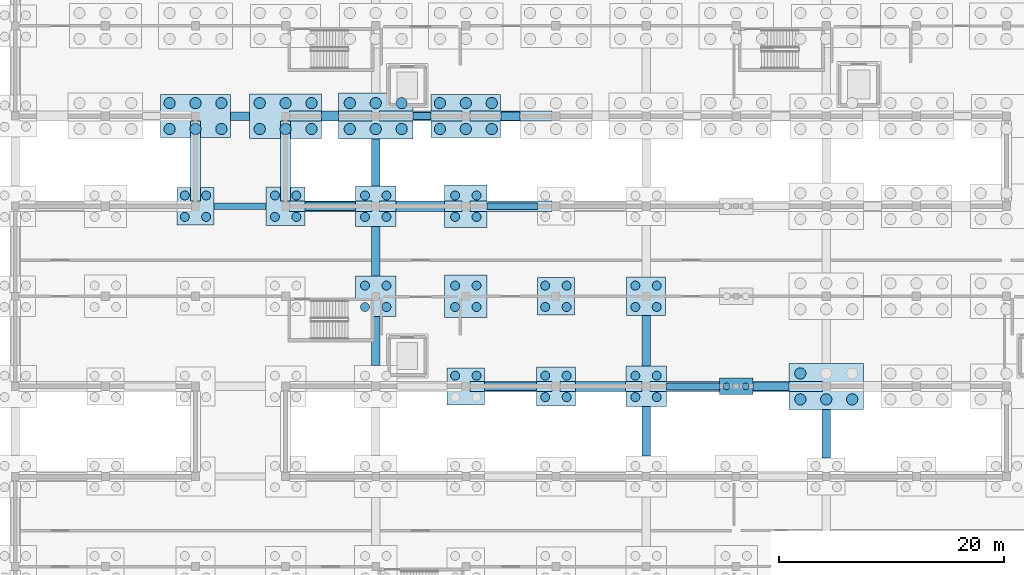
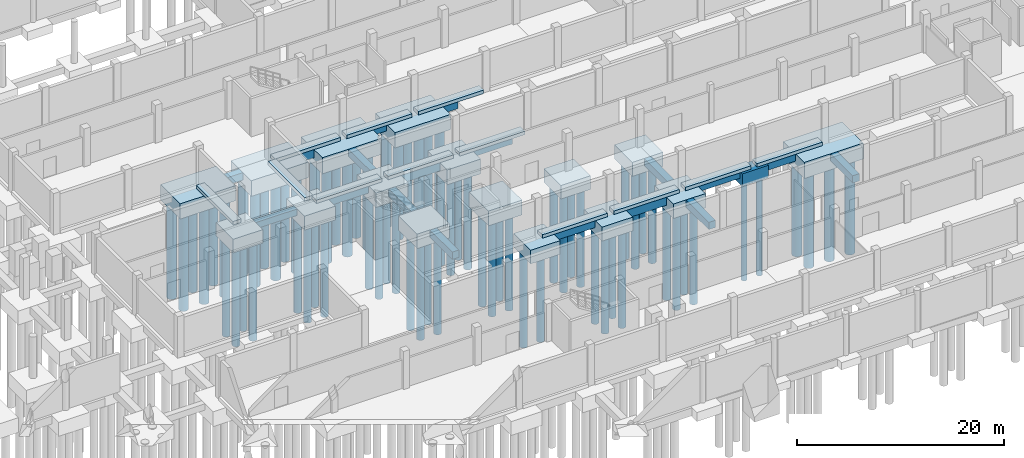
# One storey, part 6 of 51: 72 piles, 47 footings.
"""IFC4 building model written with IfcOpenShell, lengths in metres."""

from ifc_helpers import new_model, si_unit, direction, frame, origin, origin_2d, place, context, subcontext, project, spatial, rectangle, circle, extrude, material, material_profile, profile_set, type_object, element, save


model = new_model("IFC4")

# Units and contexts
model_context = context("Model", 3, precision=1e-05, world=origin(), true_north=direction((0.0, 1.0)))
body_context = subcontext(model_context, "Body", "Model", "MODEL_VIEW")
ifc_project = project(units=[si_unit("LENGTHUNIT", "METRE"), si_unit("AREAUNIT", "SQUARE_METRE"), si_unit("VOLUMEUNIT", "CUBIC_METRE"), si_unit("PLANEANGLEUNIT", "RADIAN"), si_unit("MASSUNIT", "GRAM", prefix="KILO")], contexts=[model_context])

# Site, building, storey
site_placement = place(None, origin())
site = spatial("IfcSite", under=ifc_project, at=site_placement, CompositionType="ELEMENT")
building_placement = place(site_placement, origin())
building = spatial("IfcBuilding", under=site, at=building_placement, Name="Jelvoka-Kovrelna Polytechnic", CompositionType="ELEMENT")
storey_placement = place(building_placement, frame((0.0, 0.0, -4.5)))
storey = spatial("IfcBuildingStorey", under=building, at=storey_placement, Name="B01", CompositionType="ELEMENT", Elevation=-4.5)

# Footings
ifc_material_1 = material(Name="Concrete C35/45", Category="concrete")
footing_type_1 = type_object("IfcFootingType", Name="Footing_PileCap_PC2B", PredefinedType="PILE_CAP", material=ifc_material_1)
footing_1_placement = place(storey_placement, frame((120.0, 32.0, -1.85498046875), z_axis=(0.0, 0.0, 1.0), x_axis=(1.0, 0.0, 0.0)))
element("IfcFooting", 1, at=footing_1_placement, inside=storey, type_object=footing_type_1, Name="Bored pile cap 091 (PC-2)", PredefinedType="PILE_CAP", context=body_context, shape_type="SweptSolid", body=[
    extrude(rectangle(XDim=2.949951171875, YDim=1.449951171875, at=origin_2d()), origin(), (0.0, 0.0, 1.0), 1.449951171875),
])
ifc_material_2 = material(Name="Concrete C35/45", Category="concrete")
footing_type_2 = type_object("IfcFootingType", Name="Footing_PileCap_PC4A", PredefinedType="PILE_CAP", material=ifc_material_2)
for number, where, z_axis, x_axis, name in (
    (2, (96.0, 32.0, -2.005126953125), (0.0, 0.0, 1.0), (1.0, 0.0, 0.0), "Bored pile cap 088 (PC-4)"),
    (3, (104.0, 40.0, -2.005126953125), (0.0, 0.0, 1.0), (1.0, 0.0, 0.0), "Bored pile cap 116 (PC-4)"),
    (4, (72.0, 48.0, -2.005126953125), (0.0, 0.0, 1.0), (1.0, 0.0, 0.0), "Bored pile cap 136 (PC-4)"),
):
    element("IfcFooting", number, at=place(storey_placement, frame(where, z_axis=z_axis, x_axis=x_axis)), inside=storey, type_object=footing_type_2, Name=name, PredefinedType="PILE_CAP", context=body_context, shape_type="SweptSolid", body=[
        extrude(rectangle(XDim=3.300048828125, YDim=3.300048828125, at=origin_2d()), origin(), (0.0, 0.0, 1.0), 1.60009765625),
    ])
ifc_material_3 = material(Name="Concrete C35/45", Category="concrete")
footing_type_3 = type_object("IfcFootingType", Name="Footing_PileCap_PC4B", PredefinedType="PILE_CAP", material=ifc_material_3)
for number, where, z_axis, x_axis, name in (
    (5, (104.0, 32.0, -2.054931640625), (0.0, 0.0, 1.0), (1.0, 0.0, 0.0), "Bored pile cap 089 (PC-4)"),
    (6, (112.0, 40.0, -2.054931640625), (0.0, 0.0, 1.0), (1.0, 0.0, 0.0), "Bored pile cap 117 (PC-4)"),
    (7, (80.0, 48.0, -2.054931640625), (0.0, 0.0, 1.0), (1.0, 0.0, 0.0), "Bored pile cap 137 (PC-4)"),
):
    element("IfcFooting", number, at=place(storey_placement, frame(where, z_axis=z_axis, x_axis=x_axis)), inside=storey, type_object=footing_type_3, Name=name, PredefinedType="PILE_CAP", context=body_context, shape_type="SweptSolid", body=[
        extrude(rectangle(XDim=3.449951171875, YDim=3.449951171875, at=origin_2d()), origin(), (0.0, 0.0, 1.0), 1.64990234375),
    ])
ifc_material_4 = material(Name="Concrete C35/45", Category="concrete")
footing_type_4 = type_object("IfcFootingType", Name="Footing_PileCap_PC4C", PredefinedType="PILE_CAP", material=ifc_material_4)
for number, where, z_axis, x_axis, name in (
    (8, (112.0, 32.0, -2.10498046875), (0.0, 0.0, 1.0), (1.0, 0.0, 0.0), "Bored pile cap 090 (PC-4)"),
    (9, (88.0, 40.0, -2.10498046875), (0.0, 0.0, 1.0), (1.0, 0.0, 0.0), "Bored pile cap 114 (PC-4)"),
    (10, (88.0, 48.0, -2.10498046875), (0.0, 0.0, 1.0), (1.0, 0.0, 0.0), "Bored pile cap 138 (PC-4)"),
):
    element("IfcFooting", number, at=place(storey_placement, frame(where, z_axis=z_axis, x_axis=x_axis)), inside=storey, type_object=footing_type_4, Name=name, PredefinedType="PILE_CAP", context=body_context, shape_type="SweptSolid", body=[
        extrude(rectangle(XDim=3.60009765625, YDim=3.60009765625, at=origin_2d()), origin(), (0.0, 0.0, 1.0), 1.699951171875),
    ])
ifc_material_5 = material(Name="Concrete C35/45", Category="concrete")
footing_type_5 = type_object("IfcFootingType", Name="Footing_PileCap_PC4D", PredefinedType="PILE_CAP", material=ifc_material_5)
for number, where, z_axis, x_axis, name in (
    (11, (96.0, 40.0, -2.155029296875), (0.0, 0.0, 1.0), (1.0, 0.0, 0.0), "Bored pile cap 115 (PC-4)"),
    (12, (96.0, 48.0, -2.155029296875), (0.0, 0.0, 1.0), (1.0, 0.0, 0.0), "Bored pile cap 139 (PC-4)"),
):
    element("IfcFooting", number, at=place(storey_placement, frame(where, z_axis=z_axis, x_axis=x_axis)), inside=storey, type_object=footing_type_5, Name=name, PredefinedType="PILE_CAP", context=body_context, shape_type="SweptSolid", body=[
        extrude(rectangle(XDim=3.75, YDim=3.75, at=origin_2d()), origin(), (0.0, 0.0, 1.0), 1.75),
    ])
ifc_material_6 = material(Name="Concrete C35/45", Category="concrete")
footing_type_6 = type_object("IfcFootingType", Name="Footing_PileCap_PC6A", PredefinedType="PILE_CAP", material=ifc_material_6)
for number, where, z_axis, x_axis, name in (
    (13, (72.0, 56.0, -2.205078125), (0.0, 0.0, 1.0), (1.0, 0.0, 0.0), "Bored pile cap 165 (PC-6)"),
    (14, (96.0, 56.0, -2.205078125), (0.0, 0.0, 1.0), (1.0, 0.0, 0.0), "Bored pile cap 168 (PC-6)"),
):
    element("IfcFooting", number, at=place(storey_placement, frame(where, z_axis=z_axis, x_axis=x_axis)), inside=storey, type_object=footing_type_6, Name=name, PredefinedType="PILE_CAP", context=body_context, shape_type="SweptSolid", body=[
        extrude(rectangle(XDim=6.199951171875, YDim=3.800048828125, at=origin_2d()), origin(), (0.0, 0.0, 1.0), 1.800048828125),
    ])
ifc_material_7 = material(Name="Concrete C35/45", Category="concrete")
footing_type_7 = type_object("IfcFootingType", Name="Footing_PileCap_PC6B", PredefinedType="PILE_CAP", material=ifc_material_7)
footing_2_placement = place(storey_placement, frame((80.0, 56.0, -2.255126953125), z_axis=(0.0, 0.0, 1.0), x_axis=(1.0, 0.0, 0.0)))
element("IfcFooting", 15, at=footing_2_placement, inside=storey, type_object=footing_type_7, Name="Bored pile cap 166 (PC-6)", PredefinedType="PILE_CAP", context=body_context, shape_type="SweptSolid", body=[
    extrude(rectangle(XDim=6.39990234375, YDim=3.949951171875, at=origin_2d()), origin(), (0.0, 0.0, 1.0), 1.85009765625),
])
ifc_material_8 = material(Name="Concrete C35/45", Category="concrete")
footing_type_8 = type_object("IfcFootingType", Name="Footing_PileCap_PC6C", PredefinedType="PILE_CAP", material=ifc_material_8)
for number, where, z_axis, x_axis, name in (
    (16, (128.0, 32.0, -2.304931640625), (0.0, 0.0, 1.0), (1.0, 0.0, 0.0), "Bored pile cap 092 (PC-6)"),
    (17, (88.0, 56.0, -2.304931640625), (0.0, 0.0, 1.0), (1.0, 0.0, 0.0), "Bored pile cap 167 (PC-6)"),
):
    element("IfcFooting", number, at=place(storey_placement, frame(where, z_axis=z_axis, x_axis=x_axis)), inside=storey, type_object=footing_type_8, Name=name, PredefinedType="PILE_CAP", context=body_context, shape_type="SweptSolid", body=[
        extrude(rectangle(XDim=6.60009765625, YDim=4.10009765625, at=origin_2d()), origin(), (0.0, 0.0, 1.0), 1.89990234375),
    ])
ifc_material_9 = material(Name="Concrete C35/45", Category="concrete")
footing_type_9 = type_object("IfcFootingType", Name="Footing_Strip_SF1", PredefinedType="STRIP_FOOTING", material=ifc_material_9)
footing_3_placement = place(storey_placement, frame((75.96240234375, 48.0, -1.155029296875), z_axis=(0.0, 0.0, 1.0), x_axis=(1.0, 0.0, 0.0)))
element("IfcFooting", 18, at=footing_3_placement, inside=storey, type_object=footing_type_9, Name="Strip foundation tie beam 065", PredefinedType="STRIP_FOOTING", context=body_context, shape_type="SweptSolid", body=[
    extrude(rectangle(XDim=4.62109375, YDim=0.60009765625, at=origin_2d()), origin(), (0.0, 0.0, 1.0), 0.75),
])
footing_4_placement = place(storey_placement, frame((92.10009765625, 56.0, -1.155029296875), z_axis=(0.0, 0.0, 1.0), x_axis=(1.0, 0.0, 0.0)))
element("IfcFooting", 19, at=footing_4_placement, inside=storey, type_object=footing_type_9, Name="Strip foundation tie beam 091", PredefinedType="STRIP_FOOTING", context=body_context, shape_type="SweptSolid", body=[
    extrude(rectangle(XDim=1.595947265625, YDim=0.60009765625, at=origin_2d()), origin(), (0.0, 0.0, 1.0), 0.75),
])
footing_5_placement = place(storey_placement, frame((100.112548828125, 48.0, -1.155029296875), z_axis=(0.0, 0.0, 1.0), x_axis=(1.0, 0.0, 0.0)))
element("IfcFooting", 20, at=footing_5_placement, inside=storey, type_object=footing_type_9, Name="Strip foundation tie beam 107", PredefinedType="STRIP_FOOTING", context=body_context, shape_type="SweptSolid", body=[
    extrude(rectangle(XDim=4.470947265625, YDim=0.60009765625, at=origin_2d()), origin(), (0.0, 0.0, 1.0), 0.75),
])
footing_6_placement = place(storey_placement, frame((116.16259765625, 32.0, -1.155029296875), z_axis=(0.0, 0.0, 1.0), x_axis=(1.0, 0.0, 0.0)))
element("IfcFooting", 21, at=footing_6_placement, inside=storey, type_object=footing_type_9, Name="Strip foundation tie beam 128", PredefinedType="STRIP_FOOTING", context=body_context, shape_type="SweptSolid", body=[
    extrude(rectangle(XDim=4.720947265625, YDim=0.60009765625, at=origin_2d()), origin(), (0.0, 0.0, 1.0), 0.75),
])
ifc_material_10 = material(Name="Concrete C35/45", Category="concrete")
footing_type_10 = type_object("IfcFootingType", Name="Footing_Strip_SF2", PredefinedType="STRIP_FOOTING", material=ifc_material_10)
footing_7_placement = place(storey_placement, frame((75.949951171875, 56.0, -1.255126953125), z_axis=(0.0, 0.0, 1.0), x_axis=(1.0, 0.0, 0.0)))
element("IfcFooting", 22, at=footing_7_placement, inside=storey, type_object=footing_type_10, Name="Strip foundation tie beam 066", PredefinedType="STRIP_FOOTING", context=body_context, shape_type="SweptSolid", body=[
    extrude(rectangle(XDim=1.696044921875, YDim=0.75, at=origin_2d()), origin(), (0.0, 0.0, 1.0), 0.85009765625),
])
footing_8_placement = place(storey_placement, frame((83.96240234375, 48.0, -1.255126953125), z_axis=(0.0, 0.0, 1.0), x_axis=(1.0, 0.0, 0.0)))
element("IfcFooting", 23, at=footing_8_placement, inside=storey, type_object=footing_type_10, Name="Strip foundation tie beam 074", PredefinedType="STRIP_FOOTING", context=body_context, shape_type="SweptSolid", body=[
    extrude(rectangle(XDim=4.470947265625, YDim=0.75, at=origin_2d()), origin(), (0.0, 0.0, 1.0), 0.85009765625),
])
footing_9_placement = place(storey_placement, frame((88.0, 36.03759765625, -1.255126953125), z_axis=(0.0, 0.0, 1.0), x_axis=(0.0, 1.0, 0.0)))
element("IfcFooting", 24, at=footing_9_placement, inside=storey, type_object=footing_type_10, Name="Strip foundation tie beam 087", PredefinedType="STRIP_FOOTING", context=body_context, shape_type="SweptSolid", body=[
    extrude(rectangle(XDim=4.321044921875, YDim=0.75, at=origin_2d()), origin(), (0.0, 0.0, 1.0), 0.85009765625),
])
footing_10_placement = place(storey_placement, frame((88.0, 44.0, -1.255126953125), z_axis=(0.0, 0.0, 1.0), x_axis=(0.0, 1.0, 0.0)))
element("IfcFooting", 25, at=footing_10_placement, inside=storey, type_object=footing_type_10, Name="Strip foundation tie beam 088", PredefinedType="STRIP_FOOTING", context=body_context, shape_type="SweptSolid", body=[
    extrude(rectangle(XDim=4.39599609375, YDim=0.75, at=origin_2d()), origin(), (0.0, 0.0, 1.0), 0.85009765625),
])
footing_11_placement = place(storey_placement, frame((88.0, 51.875, -1.255126953125), z_axis=(0.0, 0.0, 1.0), x_axis=(0.0, 1.0, 0.0)))
element("IfcFooting", 26, at=footing_11_placement, inside=storey, type_object=footing_type_10, Name="Strip foundation tie beam 090", PredefinedType="STRIP_FOOTING", context=body_context, shape_type="SweptSolid", body=[
    extrude(rectangle(XDim=4.14599609375, YDim=0.75, at=origin_2d()), origin(), (0.0, 0.0, 1.0), 0.85009765625),
])
footing_12_placement = place(storey_placement, frame((99.96240234375, 32.0, -1.255126953125), z_axis=(0.0, 0.0, 1.0), x_axis=(1.0, 0.0, 0.0)))
element("IfcFooting", 27, at=footing_12_placement, inside=storey, type_object=footing_type_10, Name="Strip foundation tie beam 106", PredefinedType="STRIP_FOOTING", context=body_context, shape_type="SweptSolid", body=[
    extrude(rectangle(XDim=4.62109375, YDim=0.75, at=origin_2d()), origin(), (0.0, 0.0, 1.0), 0.85009765625),
])
footing_13_placement = place(storey_placement, frame((99.949951171875, 56.0, -1.255126953125), z_axis=(0.0, 0.0, 1.0), x_axis=(1.0, 0.0, 0.0)))
element("IfcFooting", 28, at=footing_13_placement, inside=storey, type_object=footing_type_10, Name="Strip foundation tie beam 108", PredefinedType="STRIP_FOOTING", context=body_context, shape_type="SweptSolid", body=[
    extrude(rectangle(XDim=1.696044921875, YDim=0.75, at=origin_2d()), origin(), (0.0, 0.0, 1.0), 0.85009765625),
])
footing_14_placement = place(storey_placement, frame((112.0, 28.0, -1.255126953125), z_axis=(0.0, 0.0, 1.0), x_axis=(0.0, 1.0, 0.0)))
element("IfcFooting", 29, at=footing_14_placement, inside=storey, type_object=footing_type_10, Name="Strip foundation tie beam 127", PredefinedType="STRIP_FOOTING", context=body_context, shape_type="SweptSolid", body=[
    extrude(rectangle(XDim=4.39599609375, YDim=0.75, at=origin_2d()), origin(), (0.0, 0.0, 1.0), 0.85009765625),
])
footing_15_placement = place(storey_placement, frame((112.0, 36.03759765625, -1.255126953125), z_axis=(0.0, 0.0, 1.0), x_axis=(0.0, 1.0, 0.0)))
element("IfcFooting", 30, at=footing_15_placement, inside=storey, type_object=footing_type_10, Name="Strip foundation tie beam 129", PredefinedType="STRIP_FOOTING", context=body_context, shape_type="SweptSolid", body=[
    extrude(rectangle(XDim=4.470947265625, YDim=0.75, at=origin_2d()), origin(), (0.0, 0.0, 1.0), 0.85009765625),
])
footing_16_placement = place(storey_placement, frame((123.08740234375, 32.0, -1.255126953125), z_axis=(0.0, 0.0, 1.0), x_axis=(1.0, 0.0, 0.0)))
element("IfcFooting", 31, at=footing_16_placement, inside=storey, type_object=footing_type_10, Name="Strip foundation tie beam 145", PredefinedType="STRIP_FOOTING", context=body_context, shape_type="SweptSolid", body=[
    extrude(rectangle(XDim=3.220947265625, YDim=0.75, at=origin_2d()), origin(), (0.0, 0.0, 1.0), 0.85009765625),
])
footing_17_placement = place(storey_placement, frame((128.0, 27.800048828125, -1.255126953125), z_axis=(0.0, 0.0, 1.0), x_axis=(0.0, 1.0, 0.0)))
element("IfcFooting", 32, at=footing_17_placement, inside=storey, type_object=footing_type_10, Name="Strip foundation tie beam 157", PredefinedType="STRIP_FOOTING", context=body_context, shape_type="SweptSolid", body=[
    extrude(rectangle(XDim=4.2958984375, YDim=0.75, at=origin_2d()), origin(), (0.0, 0.0, 1.0), 0.85009765625),
])
ifc_material_11 = material(Name="Concrete C35/45", Category="concrete")
footing_type_11 = type_object("IfcFootingType", Name="Footing_Strip_SF3", PredefinedType="STRIP_FOOTING", material=ifc_material_11)
footing_18_placement = place(storey_placement, frame((83.949951171875, 56.0, -1.35498046875), z_axis=(0.0, 0.0, 1.0), x_axis=(1.0, 0.0, 0.0)))
element("IfcFooting", 33, at=footing_18_placement, inside=storey, type_object=footing_type_11, Name="Strip foundation tie beam 075", PredefinedType="STRIP_FOOTING", context=body_context, shape_type="SweptSolid", body=[
    extrude(rectangle(XDim=1.49609375, YDim=0.89990234375, at=origin_2d()), origin(), (0.0, 0.0, 1.0), 0.949951171875),
])
footing_19_placement = place(storey_placement, frame((91.96240234375, 48.0, -1.35498046875), z_axis=(0.0, 0.0, 1.0), x_axis=(1.0, 0.0, 0.0)))
element("IfcFooting", 34, at=footing_19_placement, inside=storey, type_object=footing_type_11, Name="Strip foundation tie beam 089", PredefinedType="STRIP_FOOTING", context=body_context, shape_type="SweptSolid", body=[
    extrude(rectangle(XDim=4.321044921875, YDim=0.89990234375, at=origin_2d()), origin(), (0.0, 0.0, 1.0), 0.949951171875),
])
footing_20_placement = place(storey_placement, frame((107.96240234375, 32.0, -1.35498046875), z_axis=(0.0, 0.0, 1.0), x_axis=(1.0, 0.0, 0.0)))
element("IfcFooting", 35, at=footing_20_placement, inside=storey, type_object=footing_type_11, Name="Strip foundation tie beam 115", PredefinedType="STRIP_FOOTING", context=body_context, shape_type="SweptSolid", body=[
    extrude(rectangle(XDim=4.470947265625, YDim=0.89990234375, at=origin_2d()), origin(), (0.0, 0.0, 1.0), 0.949951171875),
])
for number, where, z_axis, x_axis, name in (
    (36, (84.0, 48.0, -0.40478515625), (0.0, 0.0, 1.0), (1.0, 0.0, 0.0), "Strip foundation plinth beam B01W-042"),
    (37, (92.0, 48.0, -0.40478515625), (0.0, 0.0, 1.0), (1.0, 0.0, 0.0), "Strip foundation plinth beam B01W-044"),
    (38, (100.0, 32.0, -0.40478515625), (0.0, 0.0, 1.0), (1.0, 0.0, 0.0), "Strip foundation plinth beam B01W-045"),
    (39, (100.0, 48.0, -0.40478515625), (0.0, 0.0, 1.0), (1.0, 0.0, 0.0), "Strip foundation plinth beam B01W-046"),
    (40, (108.0, 32.0, -0.40478515625), (0.0, 0.0, 1.0), (1.0, 0.0, 0.0), "Strip foundation plinth beam B01W-047"),
    (41, (116.0, 32.0, -0.40478515625), (0.0, 0.0, 1.0), (1.0, 0.0, 0.0), "Strip foundation plinth beam B01W-049"),
    (42, (124.0, 32.0, -0.40478515625), (0.0, 0.0, 1.0), (1.0, 0.0, 0.0), "Strip foundation plinth beam B01W-051"),
    (43, (84.0, 56.0, -0.40478515625), (0.0, 0.0, 1.0), (1.0, 0.0, 0.0), "Strip foundation plinth beam B01W-076"),
    (44, (92.0, 56.0, -0.40478515625), (0.0, 0.0, 1.0), (1.0, 0.0, 0.0), "Strip foundation plinth beam B01W-078"),
    (45, (100.0, 56.0, -0.40478515625), (0.0, 0.0, 1.0), (1.0, 0.0, 0.0), "Strip foundation plinth beam B01W-080"),
):
    element("IfcFooting", number, at=place(storey_placement, frame(where, z_axis=z_axis, x_axis=x_axis)), inside=storey, type_object=footing_type_11, Name=name, PredefinedType="STRIP_FOOTING", context=body_context, shape_type="SweptSolid", body=[
        extrude(rectangle(XDim=7.300048828125, YDim=0.89990234375, at=origin_2d()), origin(), (0.0, 0.0, 1.0), 0.405029296875),
    ])
for number, where, z_axis, x_axis, name in (
    (46, (72.0, 52.0, -0.40478515625), (0.0, 0.0, 1.0), (0.0, 1.0, 0.0), "Strip foundation plinth beam B01W-108"),
    (47, (80.0, 52.0, -0.40478515625), (0.0, 0.0, 1.0), (0.0, 1.0, 0.0), "Strip foundation plinth beam B01W-110"),
):
    element("IfcFooting", number, at=place(storey_placement, frame(where, z_axis=z_axis, x_axis=x_axis)), inside=storey, type_object=footing_type_11, Name=name, PredefinedType="STRIP_FOOTING", context=body_context, shape_type="SweptSolid", body=[
        extrude(rectangle(XDim=7.095947265625, YDim=0.89990234375, at=origin_2d()), origin(), (0.0, 0.0, 1.0), 0.405029296875),
    ])

# Piles
ifc_material_12 = material(Name="Concrete C35/45", Category="concrete")
ifc_material_profile_1 = material_profile(ifc_material_12, circle(Radius=0.5, at=origin_2d()), Name="PILE D1000")
ifc_profile_set_1 = profile_set([ifc_material_profile_1], Name="Concrete C35/45")
pile_type_1 = type_object("IfcPileType", Name="Pile_Bored_1000", PredefinedType="BORED", material=ifc_profile_set_1)
for number, where, z_axis, x_axis, name in (
    (48, (125.699951171875, 30.85009765625, -2.205078125), (0.0, 0.0, -1.0), (1.0, 0.0, 0.0), "Bored concrete pile 092-1"),
    (49, (128.0, 30.85009765625, -2.205078125), (0.0, 0.0, -1.0), (1.0, 0.0, 0.0), "Bored concrete pile 092-2"),
    (50, (130.300048828125, 30.85009765625, -2.205078125), (0.0, 0.0, -1.0), (1.0, 0.0, 0.0), "Bored concrete pile 092-3"),
    (51, (125.699951171875, 33.14990234375, -2.205078125), (0.0, 0.0, -1.0), (1.0, 0.0, 0.0), "Bored concrete pile 092-4"),
):
    element("IfcPile", number, at=place(storey_placement, frame(where, z_axis=z_axis, x_axis=x_axis)), inside=storey, type_object=pile_type_1, Name=name, PredefinedType="BORED", context=body_context, shape_type="SweptSolid", body=[
        extrude(circle(Radius=0.5, at=origin_2d()), origin(), (0.0, 0.0, 1.0), 11.294921875),
    ])
for number, where, z_axis, x_axis, name in (
    (52, (69.699951171875, 54.85009765625, -2.10498046875), (0.0, 0.0, -1.0), (1.0, 0.0, 0.0), "Bored concrete pile 165-1"),
    (53, (72.0, 54.85009765625, -2.10498046875), (0.0, 0.0, -1.0), (1.0, 0.0, 0.0), "Bored concrete pile 165-2"),
    (54, (74.300048828125, 54.85009765625, -2.10498046875), (0.0, 0.0, -1.0), (1.0, 0.0, 0.0), "Bored concrete pile 165-3"),
    (55, (69.699951171875, 57.14990234375, -2.10498046875), (0.0, 0.0, -1.0), (1.0, 0.0, 0.0), "Bored concrete pile 165-4"),
    (56, (72.0, 57.14990234375, -2.10498046875), (0.0, 0.0, -1.0), (1.0, 0.0, 0.0), "Bored concrete pile 165-5"),
    (57, (74.300048828125, 57.14990234375, -2.10498046875), (0.0, 0.0, -1.0), (1.0, 0.0, 0.0), "Bored concrete pile 165-6"),
):
    element("IfcPile", number, at=place(storey_placement, frame(where, z_axis=z_axis, x_axis=x_axis)), inside=storey, type_object=pile_type_1, Name=name, PredefinedType="BORED", context=body_context, shape_type="SweptSolid", body=[
        extrude(circle(Radius=0.5, at=origin_2d()), origin(), (0.0, 0.0, 1.0), 11.39501953125),
    ])
for number, where, z_axis, x_axis, name in (
    (58, (77.699951171875, 54.85009765625, -2.155029296875), (0.0, 0.0, -1.0), (1.0, 0.0, 0.0), "Bored concrete pile 166-1"),
    (59, (80.0, 54.85009765625, -2.155029296875), (0.0, 0.0, -1.0), (1.0, 0.0, 0.0), "Bored concrete pile 166-2"),
    (60, (82.300048828125, 54.85009765625, -2.155029296875), (0.0, 0.0, -1.0), (1.0, 0.0, 0.0), "Bored concrete pile 166-3"),
    (61, (77.699951171875, 57.14990234375, -2.155029296875), (0.0, 0.0, -1.0), (1.0, 0.0, 0.0), "Bored concrete pile 166-4"),
    (62, (80.0, 57.14990234375, -2.155029296875), (0.0, 0.0, -1.0), (1.0, 0.0, 0.0), "Bored concrete pile 166-5"),
    (63, (82.300048828125, 57.14990234375, -2.155029296875), (0.0, 0.0, -1.0), (1.0, 0.0, 0.0), "Bored concrete pile 166-6"),
):
    element("IfcPile", number, at=place(storey_placement, frame(where, z_axis=z_axis, x_axis=x_axis)), inside=storey, type_object=pile_type_1, Name=name, PredefinedType="BORED", context=body_context, shape_type="SweptSolid", body=[
        extrude(circle(Radius=0.5, at=origin_2d()), origin(), (0.0, 0.0, 1.0), 11.344970703125),
    ])
for number, where, z_axis, x_axis, name in (
    (64, (85.699951171875, 54.85009765625, -2.205078125), (0.0, 0.0, -1.0), (1.0, 0.0, 0.0), "Bored concrete pile 167-1"),
    (65, (88.0, 54.85009765625, -2.205078125), (0.0, 0.0, -1.0), (1.0, 0.0, 0.0), "Bored concrete pile 167-2"),
    (66, (90.300048828125, 54.85009765625, -2.205078125), (0.0, 0.0, -1.0), (1.0, 0.0, 0.0), "Bored concrete pile 167-3"),
    (67, (85.699951171875, 57.14990234375, -2.205078125), (0.0, 0.0, -1.0), (1.0, 0.0, 0.0), "Bored concrete pile 167-4"),
    (68, (88.0, 57.14990234375, -2.205078125), (0.0, 0.0, -1.0), (1.0, 0.0, 0.0), "Bored concrete pile 167-5"),
    (69, (90.300048828125, 57.14990234375, -2.205078125), (0.0, 0.0, -1.0), (1.0, 0.0, 0.0), "Bored concrete pile 167-6"),
):
    element("IfcPile", number, at=place(storey_placement, frame(where, z_axis=z_axis, x_axis=x_axis)), inside=storey, type_object=pile_type_1, Name=name, PredefinedType="BORED", context=body_context, shape_type="SweptSolid", body=[
        extrude(circle(Radius=0.5, at=origin_2d()), origin(), (0.0, 0.0, 1.0), 11.294921875),
    ])
for number, where, z_axis, x_axis, name in (
    (70, (93.699951171875, 54.85009765625, -2.10498046875), (0.0, 0.0, -1.0), (1.0, 0.0, 0.0), "Bored concrete pile 168-1"),
    (71, (96.0, 54.85009765625, -2.10498046875), (0.0, 0.0, -1.0), (1.0, 0.0, 0.0), "Bored concrete pile 168-2"),
    (72, (98.300048828125, 54.85009765625, -2.10498046875), (0.0, 0.0, -1.0), (1.0, 0.0, 0.0), "Bored concrete pile 168-3"),
    (73, (93.699951171875, 57.14990234375, -2.10498046875), (0.0, 0.0, -1.0), (1.0, 0.0, 0.0), "Bored concrete pile 168-4"),
    (74, (96.0, 57.14990234375, -2.10498046875), (0.0, 0.0, -1.0), (1.0, 0.0, 0.0), "Bored concrete pile 168-5"),
    (75, (98.300048828125, 57.14990234375, -2.10498046875), (0.0, 0.0, -1.0), (1.0, 0.0, 0.0), "Bored concrete pile 168-6"),
):
    element("IfcPile", number, at=place(storey_placement, frame(where, z_axis=z_axis, x_axis=x_axis)), inside=storey, type_object=pile_type_1, Name=name, PredefinedType="BORED", context=body_context, shape_type="SweptSolid", body=[
        extrude(circle(Radius=0.5, at=origin_2d()), origin(), (0.0, 0.0, 1.0), 11.39501953125),
    ])
ifc_material_13 = material(Name="Concrete C35/45", Category="concrete")
ifc_material_profile_2 = material_profile(ifc_material_13, circle(Radius=0.300048828125, at=origin_2d()), Name="PILE D600")
ifc_profile_set_2 = profile_set([ifc_material_profile_2], Name="Concrete C35/45")
pile_type_2 = type_object("IfcPileType", Name="Pile_Bored_600", PredefinedType="BORED", material=ifc_profile_set_2)
for number, where, z_axis, x_axis, name in (
    (76, (119.14990234375, 32.0, -1.7548828125), (0.0, 0.0, -1.0), (1.0, 0.0, 0.0), "Bored concrete pile 091-1"),
    (77, (120.85009765625, 32.0, -1.7548828125), (0.0, 0.0, -1.0), (1.0, 0.0, 0.0), "Bored concrete pile 091-2"),
):
    element("IfcPile", number, at=place(storey_placement, frame(where, z_axis=z_axis, x_axis=x_axis)), inside=storey, type_object=pile_type_2, Name=name, PredefinedType="BORED", context=body_context, shape_type="SweptSolid", body=[
        extrude(circle(Radius=0.300048828125, at=origin_2d()), origin(), (0.0, 0.0, 1.0), 11.7451171875),
    ])
ifc_material_14 = material(Name="Concrete C35/45", Category="concrete")
ifc_material_profile_3 = material_profile(ifc_material_14, circle(Radius=0.39990234375, at=origin_2d()), Name="PILE D800")
ifc_profile_set_3 = profile_set([ifc_material_profile_3], Name="Concrete C35/45")
pile_type_3 = type_object("IfcPileType", Name="Pile_Bored_800", PredefinedType="BORED", material=ifc_profile_set_3)
for number, where, z_axis, x_axis, name in (
    (78, (95.050048828125, 32.949951171875, -1.905029296875), (0.0, 0.0, -1.0), (1.0, 0.0, 0.0), "Bored concrete pile 088-3"),
    (79, (96.949951171875, 32.949951171875, -1.905029296875), (0.0, 0.0, -1.0), (1.0, 0.0, 0.0), "Bored concrete pile 088-4"),
):
    element("IfcPile", number, at=place(storey_placement, frame(where, z_axis=z_axis, x_axis=x_axis)), inside=storey, type_object=pile_type_3, Name=name, PredefinedType="BORED", context=body_context, shape_type="SweptSolid", body=[
        extrude(circle(Radius=0.39990234375, at=origin_2d()), origin(), (0.0, 0.0, 1.0), 11.594970703125),
    ])
for number, where, z_axis, x_axis, name in (
    (80, (103.050048828125, 31.050048828125, -1.955078125), (0.0, 0.0, -1.0), (1.0, 0.0, 0.0), "Bored concrete pile 089-1"),
    (81, (104.949951171875, 31.050048828125, -1.955078125), (0.0, 0.0, -1.0), (1.0, 0.0, 0.0), "Bored concrete pile 089-2"),
    (82, (103.050048828125, 32.949951171875, -1.955078125), (0.0, 0.0, -1.0), (1.0, 0.0, 0.0), "Bored concrete pile 089-3"),
    (83, (104.949951171875, 32.949951171875, -1.955078125), (0.0, 0.0, -1.0), (1.0, 0.0, 0.0), "Bored concrete pile 089-4"),
):
    element("IfcPile", number, at=place(storey_placement, frame(where, z_axis=z_axis, x_axis=x_axis)), inside=storey, type_object=pile_type_3, Name=name, PredefinedType="BORED", context=body_context, shape_type="SweptSolid", body=[
        extrude(circle(Radius=0.39990234375, at=origin_2d()), origin(), (0.0, 0.0, 1.0), 11.544921875),
    ])
for number, where, z_axis, x_axis, name in (
    (84, (111.050048828125, 31.050048828125, -2.0048828125), (0.0, 0.0, -1.0), (1.0, 0.0, 0.0), "Bored concrete pile 090-1"),
    (85, (112.949951171875, 31.050048828125, -2.0048828125), (0.0, 0.0, -1.0), (1.0, 0.0, 0.0), "Bored concrete pile 090-2"),
    (86, (111.050048828125, 32.949951171875, -2.0048828125), (0.0, 0.0, -1.0), (1.0, 0.0, 0.0), "Bored concrete pile 090-3"),
    (87, (112.949951171875, 32.949951171875, -2.0048828125), (0.0, 0.0, -1.0), (1.0, 0.0, 0.0), "Bored concrete pile 090-4"),
    (88, (87.050048828125, 39.050048828125, -2.0048828125), (0.0, 0.0, -1.0), (1.0, 0.0, 0.0), "Bored concrete pile 114-1"),
    (89, (88.949951171875, 39.050048828125, -2.0048828125), (0.0, 0.0, -1.0), (1.0, 0.0, 0.0), "Bored concrete pile 114-2"),
    (90, (87.050048828125, 40.949951171875, -2.0048828125), (0.0, 0.0, -1.0), (1.0, 0.0, 0.0), "Bored concrete pile 114-3"),
    (91, (88.949951171875, 40.949951171875, -2.0048828125), (0.0, 0.0, -1.0), (1.0, 0.0, 0.0), "Bored concrete pile 114-4"),
):
    element("IfcPile", number, at=place(storey_placement, frame(where, z_axis=z_axis, x_axis=x_axis)), inside=storey, type_object=pile_type_3, Name=name, PredefinedType="BORED", context=body_context, shape_type="SweptSolid", body=[
        extrude(circle(Radius=0.39990234375, at=origin_2d()), origin(), (0.0, 0.0, 1.0), 11.4951171875),
    ])
for number, where, z_axis, x_axis, name in (
    (92, (95.050048828125, 39.050048828125, -2.054931640625), (0.0, 0.0, -1.0), (1.0, 0.0, 0.0), "Bored concrete pile 115-1"),
    (93, (96.949951171875, 39.050048828125, -2.054931640625), (0.0, 0.0, -1.0), (1.0, 0.0, 0.0), "Bored concrete pile 115-2"),
    (94, (95.050048828125, 40.949951171875, -2.054931640625), (0.0, 0.0, -1.0), (1.0, 0.0, 0.0), "Bored concrete pile 115-3"),
    (95, (96.949951171875, 40.949951171875, -2.054931640625), (0.0, 0.0, -1.0), (1.0, 0.0, 0.0), "Bored concrete pile 115-4"),
):
    element("IfcPile", number, at=place(storey_placement, frame(where, z_axis=z_axis, x_axis=x_axis)), inside=storey, type_object=pile_type_3, Name=name, PredefinedType="BORED", context=body_context, shape_type="SweptSolid", body=[
        extrude(circle(Radius=0.39990234375, at=origin_2d()), origin(), (0.0, 0.0, 1.0), 11.445068359375),
    ])
for number, where, z_axis, x_axis, name in (
    (96, (103.050048828125, 39.050048828125, -1.905029296875), (0.0, 0.0, -1.0), (1.0, 0.0, 0.0), "Bored concrete pile 116-1"),
    (97, (104.949951171875, 39.050048828125, -1.905029296875), (0.0, 0.0, -1.0), (1.0, 0.0, 0.0), "Bored concrete pile 116-2"),
    (98, (103.050048828125, 40.949951171875, -1.905029296875), (0.0, 0.0, -1.0), (1.0, 0.0, 0.0), "Bored concrete pile 116-3"),
    (99, (104.949951171875, 40.949951171875, -1.905029296875), (0.0, 0.0, -1.0), (1.0, 0.0, 0.0), "Bored concrete pile 116-4"),
):
    element("IfcPile", number, at=place(storey_placement, frame(where, z_axis=z_axis, x_axis=x_axis)), inside=storey, type_object=pile_type_3, Name=name, PredefinedType="BORED", context=body_context, shape_type="SweptSolid", body=[
        extrude(circle(Radius=0.39990234375, at=origin_2d()), origin(), (0.0, 0.0, 1.0), 11.594970703125),
    ])
for number, where, z_axis, x_axis, name in (
    (100, (111.050048828125, 39.050048828125, -1.955078125), (0.0, 0.0, -1.0), (1.0, 0.0, 0.0), "Bored concrete pile 117-1"),
    (101, (112.949951171875, 39.050048828125, -1.955078125), (0.0, 0.0, -1.0), (1.0, 0.0, 0.0), "Bored concrete pile 117-2"),
    (102, (111.050048828125, 40.949951171875, -1.955078125), (0.0, 0.0, -1.0), (1.0, 0.0, 0.0), "Bored concrete pile 117-3"),
    (103, (112.949951171875, 40.949951171875, -1.955078125), (0.0, 0.0, -1.0), (1.0, 0.0, 0.0), "Bored concrete pile 117-4"),
):
    element("IfcPile", number, at=place(storey_placement, frame(where, z_axis=z_axis, x_axis=x_axis)), inside=storey, type_object=pile_type_3, Name=name, PredefinedType="BORED", context=body_context, shape_type="SweptSolid", body=[
        extrude(circle(Radius=0.39990234375, at=origin_2d()), origin(), (0.0, 0.0, 1.0), 11.544921875),
    ])
for number, where, z_axis, x_axis, name in (
    (104, (71.050048828125, 47.050048828125, -1.905029296875), (0.0, 0.0, -1.0), (1.0, 0.0, 0.0), "Bored concrete pile 136-1"),
    (105, (72.949951171875, 47.050048828125, -1.905029296875), (0.0, 0.0, -1.0), (1.0, 0.0, 0.0), "Bored concrete pile 136-2"),
    (106, (71.050048828125, 48.949951171875, -1.905029296875), (0.0, 0.0, -1.0), (1.0, 0.0, 0.0), "Bored concrete pile 136-3"),
    (107, (72.949951171875, 48.949951171875, -1.905029296875), (0.0, 0.0, -1.0), (1.0, 0.0, 0.0), "Bored concrete pile 136-4"),
):
    element("IfcPile", number, at=place(storey_placement, frame(where, z_axis=z_axis, x_axis=x_axis)), inside=storey, type_object=pile_type_3, Name=name, PredefinedType="BORED", context=body_context, shape_type="SweptSolid", body=[
        extrude(circle(Radius=0.39990234375, at=origin_2d()), origin(), (0.0, 0.0, 1.0), 11.594970703125),
    ])
for number, where, z_axis, x_axis, name in (
    (108, (79.050048828125, 47.050048828125, -1.955078125), (0.0, 0.0, -1.0), (1.0, 0.0, 0.0), "Bored concrete pile 137-1"),
    (109, (80.949951171875, 47.050048828125, -1.955078125), (0.0, 0.0, -1.0), (1.0, 0.0, 0.0), "Bored concrete pile 137-2"),
    (110, (79.050048828125, 48.949951171875, -1.955078125), (0.0, 0.0, -1.0), (1.0, 0.0, 0.0), "Bored concrete pile 137-3"),
    (111, (80.949951171875, 48.949951171875, -1.955078125), (0.0, 0.0, -1.0), (1.0, 0.0, 0.0), "Bored concrete pile 137-4"),
):
    element("IfcPile", number, at=place(storey_placement, frame(where, z_axis=z_axis, x_axis=x_axis)), inside=storey, type_object=pile_type_3, Name=name, PredefinedType="BORED", context=body_context, shape_type="SweptSolid", body=[
        extrude(circle(Radius=0.39990234375, at=origin_2d()), origin(), (0.0, 0.0, 1.0), 11.544921875),
    ])
for number, where, z_axis, x_axis, name in (
    (112, (87.050048828125, 47.050048828125, -2.0048828125), (0.0, 0.0, -1.0), (1.0, 0.0, 0.0), "Bored concrete pile 138-1"),
    (113, (88.949951171875, 47.050048828125, -2.0048828125), (0.0, 0.0, -1.0), (1.0, 0.0, 0.0), "Bored concrete pile 138-2"),
    (114, (87.050048828125, 48.949951171875, -2.0048828125), (0.0, 0.0, -1.0), (1.0, 0.0, 0.0), "Bored concrete pile 138-3"),
    (115, (88.949951171875, 48.949951171875, -2.0048828125), (0.0, 0.0, -1.0), (1.0, 0.0, 0.0), "Bored concrete pile 138-4"),
):
    element("IfcPile", number, at=place(storey_placement, frame(where, z_axis=z_axis, x_axis=x_axis)), inside=storey, type_object=pile_type_3, Name=name, PredefinedType="BORED", context=body_context, shape_type="SweptSolid", body=[
        extrude(circle(Radius=0.39990234375, at=origin_2d()), origin(), (0.0, 0.0, 1.0), 11.4951171875),
    ])
for number, where, z_axis, x_axis, name in (
    (116, (95.050048828125, 47.050048828125, -2.054931640625), (0.0, 0.0, -1.0), (1.0, 0.0, 0.0), "Bored concrete pile 139-1"),
    (117, (96.949951171875, 47.050048828125, -2.054931640625), (0.0, 0.0, -1.0), (1.0, 0.0, 0.0), "Bored concrete pile 139-2"),
    (118, (95.050048828125, 48.949951171875, -2.054931640625), (0.0, 0.0, -1.0), (1.0, 0.0, 0.0), "Bored concrete pile 139-3"),
    (119, (96.949951171875, 48.949951171875, -2.054931640625), (0.0, 0.0, -1.0), (1.0, 0.0, 0.0), "Bored concrete pile 139-4"),
):
    element("IfcPile", number, at=place(storey_placement, frame(where, z_axis=z_axis, x_axis=x_axis)), inside=storey, type_object=pile_type_3, Name=name, PredefinedType="BORED", context=body_context, shape_type="SweptSolid", body=[
        extrude(circle(Radius=0.39990234375, at=origin_2d()), origin(), (0.0, 0.0, 1.0), 11.445068359375),
    ])

save(model, "model.ifc")
